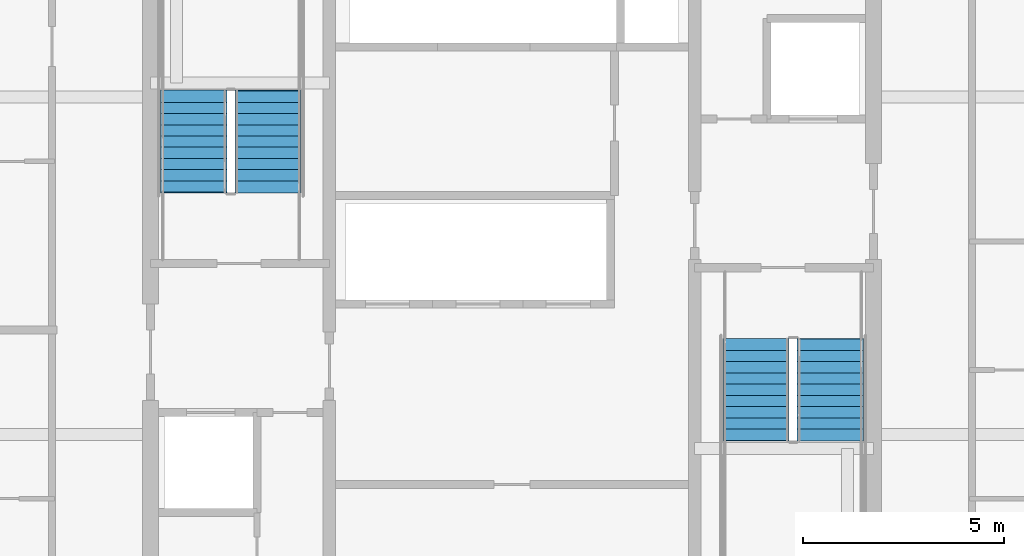
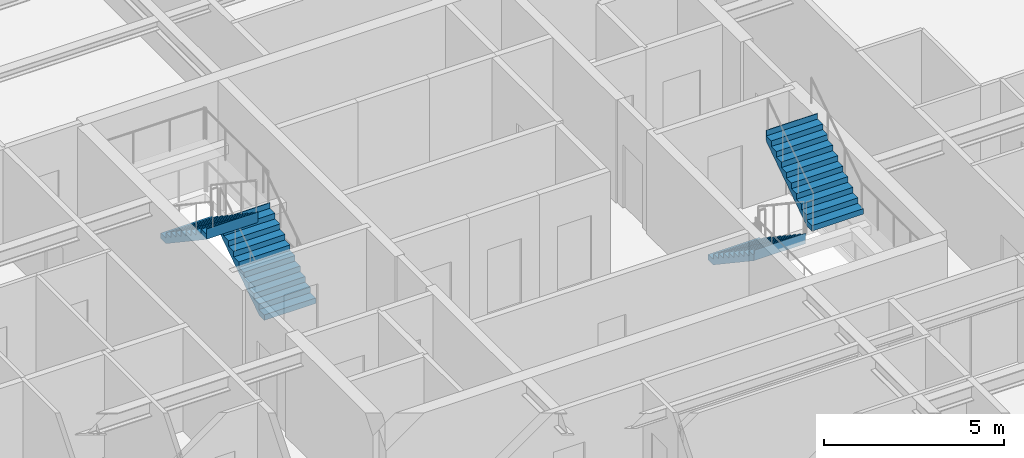
# One storey, part 28 of 33: 4 stair flights, 2 elements without a shape of their own.
"""IFC4 building model written with IfcOpenShell, lengths in metres."""

import ifcopenshell
import ifcopenshell.guid

model = None  # the IFC model being written
_history = None  # IfcOwnerHistory: only IFC2X3 demands one
_inside = {}  # id of a spatial element -> (the spatial element, [elements in it])
_under = {}  # id of a project, library or spatial element -> (it, [spatial elements below it])
_declared = {}  # id of a project -> (the project, [libraries it declares])
_typed = {}  # id of a type object -> (the type object, [elements of that type])
_made_of = {}  # id of a material, layer set ... -> (it, [elements and type objects made of it])


def new_model(schema):
    """Start an empty IFC model of exactly this schema.

    Asked for "IFC4X3", IfcOpenShell would pick the latest addendum, in which some entities
    have other attributes; the version numbers below select the first issue.
    IFC2X3 requires an IfcOwnerHistory on every rooted entity: one is made here for all.
    """
    global model, _history
    if schema == "IFC4X3":
        model = ifcopenshell.file(schema_version=(4, 3, 0, 0))
    else:
        model = ifcopenshell.file(schema=schema)
    _inside.clear()
    _under.clear()
    _declared.clear()
    _typed.clear()
    _made_of.clear()
    _history = None
    if model.schema == "IFC2X3":
        org = make("IfcOrganization", Name="unknown")
        user = make(
            "IfcPersonAndOrganization",
            ThePerson=make("IfcPerson", FamilyName="unknown"),
            TheOrganization=org,
        )
        app = make(
            "IfcApplication",
            ApplicationDeveloper=org,
            Version="unknown",
            ApplicationFullName="unknown",
            ApplicationIdentifier="unknown",
        )
        _history = make(
            "IfcOwnerHistory",
            OwningUser=user,
            OwningApplication=app,
            ChangeAction="ADDED",
            CreationDate=0,
        )
    return model


def make(cls, **values):
    """One entity of the class cls with the attributes given. An attribute that is None is left unset."""
    return model.create_entity(
        cls, **{name: value for name, value in values.items() if value is not None}
    )


def rooted(cls, **values):
    """An entity with a GlobalId (a new one), such as an element, a storey or a relation."""
    return make(cls, GlobalId=ifcopenshell.guid.new(), OwnerHistory=_history, **values)


def si_unit(unit_type, name, prefix=None):
    """IfcSIUnit, for example si_unit("LENGTHUNIT", "METRE", prefix="MILLI")."""
    return make("IfcSIUnit", UnitType=unit_type, Prefix=prefix, Name=name)


def assignment(units):
    """IfcUnitAssignment: the units of a project."""
    return None if units is None else make("IfcUnitAssignment", Units=units)


def point(xyz):
    """IfcCartesianPoint."""
    return None if xyz is None else make("IfcCartesianPoint", Coordinates=xyz)


def direction(xyz):
    """IfcDirection."""
    return None if xyz is None else make("IfcDirection", DirectionRatios=xyz)


def frame(location, z_axis=None, x_axis=None):
    """IfcAxis2Placement3D, a coordinate frame: its origin and axes. An axis left out is left unset."""
    return make(
        "IfcAxis2Placement3D",
        Location=point(location),
        Axis=direction(z_axis),
        RefDirection=direction(x_axis),
    )


def origin():
    """The frame at (0, 0, 0) with its axes left unset."""
    return frame((0.0, 0.0, 0.0))


def place(relative_to, where):
    """IfcLocalPlacement: puts the frame where relative to a parent placement (None: the world)."""
    return make(
        "IfcLocalPlacement", PlacementRelTo=relative_to, RelativePlacement=where
    )


def context(
    kind, dimensions, precision=None, world=None, true_north=None, identifier=None
):
    """IfcGeometricRepresentationContext, for example the 3D "Model" context."""
    return make(
        "IfcGeometricRepresentationContext",
        ContextIdentifier=identifier,
        ContextType=kind,
        CoordinateSpaceDimension=dimensions,
        Precision=precision,
        WorldCoordinateSystem=world,
        TrueNorth=true_north,
    )


def subcontext(parent, identifier, kind, view, scale=None):
    """IfcGeometricRepresentationSubContext, for example "Body" below "Model"."""
    return make(
        "IfcGeometricRepresentationSubContext",
        ContextIdentifier=identifier,
        ContextType=kind,
        ParentContext=parent,
        TargetScale=scale,
        TargetView=view,
    )


def project(units=None, contexts=None):
    """IfcProject with its units and contexts."""
    return rooted(
        "IfcProject",
        Name="project",
        RepresentationContexts=contexts,
        UnitsInContext=assignment(units),
    )


def spatial(cls, under=None, at=None, **own):
    """A site, building, storey or space (cls), placed at a placement, below another one or the project."""
    s = rooted(cls, ObjectPlacement=at, **own)
    if under is not None:
        _under.setdefault(under.id(), (under, []))[1].append(s)
    return s


def point_list(points):
    """IfcCartesianPointList2D or 3D."""
    cls = (
        "IfcCartesianPointList2D" if len(points[0]) == 2 else "IfcCartesianPointList3D"
    )
    return make(cls, CoordList=points)


def polygons(points, faces, closed=None, point_numbers=None):
    """IfcPolygonalFaceSet: a face is its outer loop, then its inner loops; points numbered from 1."""
    made = []
    for loops in faces:
        if len(loops) == 1:
            made.append(make("IfcIndexedPolygonalFace", CoordIndex=loops[0]))
        else:
            made.append(
                make(
                    "IfcIndexedPolygonalFaceWithVoids",
                    CoordIndex=loops[0],
                    InnerCoordIndices=loops[1:],
                )
            )
    return make(
        "IfcPolygonalFaceSet",
        Coordinates=point_list(points),
        Closed=closed,
        Faces=made,
        PnIndex=point_numbers,
    )


def shape(context_of_items, identifier, shape_type, items):
    """IfcShapeRepresentation: the items that make up one representation, for example the "Body"."""
    return make(
        "IfcShapeRepresentation",
        ContextOfItems=context_of_items,
        RepresentationIdentifier=identifier,
        RepresentationType=shape_type,
        Items=items,
    )


def material(Name=None, Category=None):
    """IfcMaterial."""
    return make("IfcMaterial", Name=Name, Category=Category)


def made_of(thing, what):
    """Note that an element or type object is made of a material, layer set ...; save() writes the relation."""
    if what is not None:
        _made_of.setdefault(what.id(), (what, []))[1].append(thing)
    return thing


def type_object(cls, material=None, **own):
    """A type object (cls), such as IfcWallType, which elements share."""
    return made_of(rooted(cls, **own), material)


def element(
    cls,
    number,
    at=None,
    inside=None,
    cuts=None,
    type_object=None,
    material=None,
    context=None,
    identifier="Body",
    shape_type=None,
    held_by="IfcProductDefinitionShape",
    body=None,
    shapes=None,
    **own,
):
    """One element of the class cls, such as IfcWall. Its Tag is "e" and its number.

    at: its placement. inside: the storey or other place that contains it. cuts: it is an
    opening in that element (IfcRelVoidsElement). A single representation is given by context,
    identifier, shape_type and body (its items); several are given by shapes. held_by: the class
    of the entity that holds the representations. save() writes the other relations.
    """
    e = rooted(cls, Tag="e%d" % number, ObjectPlacement=at, **own)
    if body is not None:
        shapes = [shape(context, identifier, shape_type, body)]
    if shapes is not None:
        e.Representation = make(held_by, Representations=shapes)
    if inside is not None:
        _inside.setdefault(inside.id(), (inside, []))[1].append(e)
    if cuts is not None:
        rooted(
            "IfcRelVoidsElement", RelatingBuildingElement=cuts, RelatedOpeningElement=e
        )
    if type_object is not None:
        _typed.setdefault(type_object.id(), (type_object, []))[1].append(e)
    return made_of(e, material)


def aggregate(whole, parts):
    """IfcRelAggregates: a whole, such as a stair, and the parts it consists of."""
    return rooted("IfcRelAggregates", RelatingObject=whole, RelatedObjects=parts)


def save(model, path):
    """Write the relations noted so far, then the file.

    IfcRelAggregates (storeys below a building ...), IfcRelContainedInSpatialStructure (elements
    in a storey), IfcRelDefinesByType, IfcRelAssociatesMaterial and IfcRelDeclares: one each for
    every whole, place, type object, material and project.
    """
    for whole, parts in _under.values():
        aggregate(whole, parts)
    for where, things in _inside.values():
        rooted(
            "IfcRelContainedInSpatialStructure",
            RelatedElements=things,
            RelatingStructure=where,
        )
    for kind, things in _typed.values():
        rooted("IfcRelDefinesByType", RelatedObjects=things, RelatingType=kind)
    for what, things in _made_of.values():
        rooted("IfcRelAssociatesMaterial", RelatedObjects=things, RelatingMaterial=what)
    for by, libraries in _declared.values():
        rooted("IfcRelDeclares", RelatingContext=by, RelatedDefinitions=libraries)
    model.write(path)


model = new_model("IFC4")

# Units and contexts
model_context = context("Model", 3, precision=1e-05, world=origin(), true_north=direction((0.0, 1.0)))
body_context = subcontext(model_context, "Body", "Model", "MODEL_VIEW")
ifc_project = project(units=[si_unit("LENGTHUNIT", "METRE"), si_unit("AREAUNIT", "SQUARE_METRE"), si_unit("VOLUMEUNIT", "CUBIC_METRE"), si_unit("PLANEANGLEUNIT", "RADIAN"), si_unit("MASSUNIT", "GRAM", prefix="KILO")], contexts=[model_context])

# Site, building, storey
site_placement = place(None, origin())
site = spatial("IfcSite", under=ifc_project, at=site_placement, CompositionType="ELEMENT")
building_placement = place(site_placement, origin())
building = spatial("IfcBuilding", under=site, at=building_placement, Name="Serunith Strait Residences", CompositionType="ELEMENT")
storey_placement = place(building_placement, frame((0.0, 0.0, 165.14990234375)))
storey = spatial("IfcBuildingStorey", under=building, at=storey_placement, Name="L41", CompositionType="ELEMENT", Elevation=165.14990234375)

# Stair, stair flights
ifc_material = material(Name="Concrete C50/60", Category="concrete")
stair_type_1 = type_object("IfcStairType", Name="STR-CORE-1", PredefinedType="HALF_TURN_STAIR", material=ifc_material)
stair_1_placement = place(storey_placement, origin())
stair_1 = element("IfcStair", 1, at=stair_1_placement, inside=storey, type_object=stair_type_1, Name="L41 Protected Escape Stair ST-1", PredefinedType="HALF_TURN_STAIR")
stair_flight_type_1 = type_object("IfcStairFlightType", Name="FLT-CORE-1", PredefinedType="STRAIGHT", material=ifc_material)
stair_flight_1_placement = place(storey_placement, frame((26.324951171875, 27.030029296875, 0.0), z_axis=(0.0, 0.0, 1.0), x_axis=(0.0, 1.0, 0.0)))
stair_flight_1 = element("IfcStairFlight", 2, at=stair_flight_1_placement, type_object=stair_flight_type_1, Name="ST-1 flight 1", NumberOfRisers=10, NumberOfTreads=9, PredefinedType="STRAIGHT", RiserHeight=0.1875, TreadLength=0.28, context=body_context, shape_type="Tessellation", body=[
    polygons([(-0.02001953125, -0.824951171875, 0.0), (-0.02001953125, -0.824951171875, 0.1875), (0.280029296875, -0.824951171875, 0.1875), (0.280029296875, -0.824951171875, 0.375), (0.56005859375, -0.824951171875, 0.375), (0.56005859375, -0.824951171875, 0.5625), (0.840087890625, -0.824951171875, 0.5625), (0.840087890625, -0.824951171875, 0.75), (1.1201171875, -0.824951171875, 0.75), (1.1201171875, -0.824951171875, 0.9375), (1.39990234375, -0.824951171875, 0.9375), (1.39990234375, -0.824951171875, 1.125), (1.679931640625, -0.824951171875, 1.125), (1.679931640625, -0.824951171875, 1.3125), (1.9599609375, -0.824951171875, 1.3125), (1.9599609375, -0.824951171875, 1.5), (2.239990234375, -0.824951171875, 1.5), (2.239990234375, -0.824951171875, 1.6875), (2.52001953125, -0.824951171875, 1.6875), (2.52001953125, -0.824951171875, 1.875), (2.5400390625, -0.824951171875, 1.875), (2.5400390625, -0.824951171875, 1.81494140625), (2.52001953125, -0.824951171875, 1.507080078125), (0.26953125, -0.824951171875, 0.0), (-0.02001953125, -0.41259765625, 0.0), (-0.02001953125, -0.41259765625, 0.1875), (0.280029296875, -0.41259765625, 0.1875), (0.280029296875, -0.41259765625, 0.375), (0.56005859375, -0.41259765625, 0.375), (0.56005859375, -0.41259765625, 0.5625), (0.840087890625, -0.41259765625, 0.5625), (0.840087890625, -0.41259765625, 0.75), (1.1201171875, -0.41259765625, 0.75), (1.1201171875, -0.41259765625, 0.9375), (1.39990234375, -0.41259765625, 0.9375), (1.39990234375, -0.41259765625, 1.125), (1.679931640625, -0.41259765625, 1.125), (1.679931640625, -0.41259765625, 1.3125), (1.9599609375, -0.41259765625, 1.3125), (1.9599609375, -0.41259765625, 1.5), (2.239990234375, -0.41259765625, 1.5), (2.239990234375, -0.41259765625, 1.6875), (2.52001953125, -0.41259765625, 1.6875), (2.52001953125, -0.41259765625, 1.875), (2.5400390625, -0.41259765625, 1.875), (2.5400390625, -0.41259765625, 1.81494140625), (2.52001953125, -0.41259765625, 1.507080078125), (0.26953125, -0.41259765625, 0.0), (-0.02001953125, 0.0, 0.0), (-0.02001953125, 0.0, 0.1875), (0.280029296875, 0.0, 0.1875), (0.280029296875, 0.0, 0.375), (0.56005859375, 0.0, 0.375), (0.56005859375, 0.0, 0.5625), (0.840087890625, 0.0, 0.5625), (0.840087890625, 0.0, 0.75), (1.1201171875, 0.0, 0.75), (1.1201171875, 0.0, 0.9375), (1.39990234375, 0.0, 0.9375), (1.39990234375, 0.0, 1.125), (1.679931640625, 0.0, 1.125), (1.679931640625, 0.0, 1.3125), (1.9599609375, 0.0, 1.3125), (1.9599609375, 0.0, 1.5), (2.239990234375, 0.0, 1.5), (2.239990234375, 0.0, 1.6875), (2.52001953125, 0.0, 1.6875), (2.52001953125, 0.0, 1.875), (2.5400390625, 0.0, 1.875), (2.5400390625, 0.0, 1.81494140625), (2.52001953125, 0.0, 1.507080078125), (0.26953125, 0.0, 0.0), (-0.02001953125, 0.41259765625, 0.0), (-0.02001953125, 0.41259765625, 0.1875), (0.280029296875, 0.41259765625, 0.1875), (0.280029296875, 0.41259765625, 0.375), (0.56005859375, 0.41259765625, 0.375), (0.56005859375, 0.41259765625, 0.5625), (0.840087890625, 0.41259765625, 0.5625), (0.840087890625, 0.41259765625, 0.75), (1.1201171875, 0.41259765625, 0.75), (1.1201171875, 0.41259765625, 0.9375), (1.39990234375, 0.41259765625, 0.9375), (1.39990234375, 0.41259765625, 1.125), (1.679931640625, 0.41259765625, 1.125), (1.679931640625, 0.41259765625, 1.3125), (1.9599609375, 0.41259765625, 1.3125), (1.9599609375, 0.41259765625, 1.5), (2.239990234375, 0.41259765625, 1.5), (2.239990234375, 0.41259765625, 1.6875), (2.52001953125, 0.41259765625, 1.6875), (2.52001953125, 0.41259765625, 1.875), (2.5400390625, 0.41259765625, 1.875), (2.5400390625, 0.41259765625, 1.81494140625), (2.52001953125, 0.41259765625, 1.507080078125), (0.26953125, 0.41259765625, 0.0), (-0.02001953125, 0.824951171875, 0.0), (-0.02001953125, 0.824951171875, 0.1875), (0.280029296875, 0.824951171875, 0.1875), (0.280029296875, 0.824951171875, 0.375), (0.56005859375, 0.824951171875, 0.375), (0.56005859375, 0.824951171875, 0.5625), (0.840087890625, 0.824951171875, 0.5625), (0.840087890625, 0.824951171875, 0.75), (1.1201171875, 0.824951171875, 0.75), (1.1201171875, 0.824951171875, 0.9375), (1.39990234375, 0.824951171875, 0.9375), (1.39990234375, 0.824951171875, 1.125), (1.679931640625, 0.824951171875, 1.125), (1.679931640625, 0.824951171875, 1.3125), (1.9599609375, 0.824951171875, 1.3125), (1.9599609375, 0.824951171875, 1.5), (2.239990234375, 0.824951171875, 1.5), (2.239990234375, 0.824951171875, 1.6875), (2.52001953125, 0.824951171875, 1.6875), (2.52001953125, 0.824951171875, 1.875), (2.5400390625, 0.824951171875, 1.875), (2.5400390625, 0.824951171875, 1.81494140625), (2.52001953125, 0.824951171875, 1.507080078125), (0.26953125, 0.824951171875, 0.0)], [[[1, 2, 26, 25]], [[2, 3, 27, 26]], [[3, 4, 28, 27]], [[4, 5, 29, 28]], [[5, 6, 30, 29]], [[6, 7, 31, 30]], [[7, 8, 32, 31]], [[8, 9, 33, 32]], [[9, 10, 34, 33]], [[10, 11, 35, 34]], [[11, 12, 36, 35]], [[12, 13, 37, 36]], [[13, 14, 38, 37]], [[14, 15, 39, 38]], [[15, 16, 40, 39]], [[16, 17, 41, 40]], [[17, 18, 42, 41]], [[18, 19, 43, 42]], [[19, 20, 44, 43]], [[20, 21, 45, 44]], [[21, 22, 46, 45]], [[22, 23, 47, 46]], [[23, 24, 48, 47]], [[24, 1, 25, 48]], [[25, 26, 50, 49]], [[26, 27, 51, 50]], [[27, 28, 52, 51]], [[28, 29, 53, 52]], [[29, 30, 54, 53]], [[30, 31, 55, 54]], [[31, 32, 56, 55]], [[32, 33, 57, 56]], [[33, 34, 58, 57]], [[34, 35, 59, 58]], [[35, 36, 60, 59]], [[36, 37, 61, 60]], [[37, 38, 62, 61]], [[38, 39, 63, 62]], [[39, 40, 64, 63]], [[40, 41, 65, 64]], [[41, 42, 66, 65]], [[42, 43, 67, 66]], [[43, 44, 68, 67]], [[44, 45, 69, 68]], [[45, 46, 70, 69]], [[46, 47, 71, 70]], [[47, 48, 72, 71]], [[48, 25, 49, 72]], [[49, 50, 74, 73]], [[50, 51, 75, 74]], [[51, 52, 76, 75]], [[52, 53, 77, 76]], [[53, 54, 78, 77]], [[54, 55, 79, 78]], [[55, 56, 80, 79]], [[56, 57, 81, 80]], [[57, 58, 82, 81]], [[58, 59, 83, 82]], [[59, 60, 84, 83]], [[60, 61, 85, 84]], [[61, 62, 86, 85]], [[62, 63, 87, 86]], [[63, 64, 88, 87]], [[64, 65, 89, 88]], [[65, 66, 90, 89]], [[66, 67, 91, 90]], [[67, 68, 92, 91]], [[68, 69, 93, 92]], [[69, 70, 94, 93]], [[70, 71, 95, 94]], [[71, 72, 96, 95]], [[72, 49, 73, 96]], [[73, 74, 98, 97]], [[74, 75, 99, 98]], [[75, 76, 100, 99]], [[76, 77, 101, 100]], [[77, 78, 102, 101]], [[78, 79, 103, 102]], [[79, 80, 104, 103]], [[80, 81, 105, 104]], [[81, 82, 106, 105]], [[82, 83, 107, 106]], [[83, 84, 108, 107]], [[84, 85, 109, 108]], [[85, 86, 110, 109]], [[86, 87, 111, 110]], [[87, 88, 112, 111]], [[88, 89, 113, 112]], [[89, 90, 114, 113]], [[90, 91, 115, 114]], [[91, 92, 116, 115]], [[92, 93, 117, 116]], [[93, 94, 118, 117]], [[94, 95, 119, 118]], [[95, 96, 120, 119]], [[96, 73, 97, 120]], [[24, 23, 22, 21, 20, 19, 18, 17, 16, 15, 14, 13, 12, 11, 10, 9, 8, 7, 6, 5, 4, 3, 2, 1]], [[97, 98, 99, 100, 101, 102, 103, 104, 105, 106, 107, 108, 109, 110, 111, 112, 113, 114, 115, 116, 117, 118, 119, 120]]], closed=True),
])
stair_flight_2_placement = place(storey_placement, frame((24.47509765625, 29.550048828125, 1.875), z_axis=(0.0, 0.0, 1.0), x_axis=(0.0, -1.0, 0.0)))
stair_flight_2 = element("IfcStairFlight", 3, at=stair_flight_2_placement, type_object=stair_flight_type_1, Name="ST-1 flight 2", NumberOfRisers=10, NumberOfTreads=9, PredefinedType="STRAIGHT", RiserHeight=0.1875, TreadLength=0.28, context=body_context, shape_type="Tessellation", body=[
    polygons([(-0.02001953125, -0.824951171875, 0.0), (-0.02001953125, -0.824951171875, 0.1875), (0.280029296875, -0.824951171875, 0.1875), (0.280029296875, -0.824951171875, 0.375), (0.56005859375, -0.824951171875, 0.375), (0.56005859375, -0.824951171875, 0.5625), (0.840087890625, -0.824951171875, 0.5625), (0.840087890625, -0.824951171875, 0.75), (1.1201171875, -0.824951171875, 0.75), (1.1201171875, -0.824951171875, 0.9375), (1.39990234375, -0.824951171875, 0.9375), (1.39990234375, -0.824951171875, 1.125), (1.679931640625, -0.824951171875, 1.125), (1.679931640625, -0.824951171875, 1.3125), (1.9599609375, -0.824951171875, 1.3125), (1.9599609375, -0.824951171875, 1.5), (2.239990234375, -0.824951171875, 1.5), (2.239990234375, -0.824951171875, 1.6875), (2.52001953125, -0.824951171875, 1.6875), (2.52001953125, -0.824951171875, 1.875), (2.5400390625, -0.824951171875, 1.875), (2.5400390625, -0.824951171875, 1.81494140625), (2.52001953125, -0.824951171875, 1.507080078125), (0.26953125, -0.824951171875, 0.0), (-0.02001953125, -0.41259765625, 0.0), (-0.02001953125, -0.41259765625, 0.1875), (0.280029296875, -0.41259765625, 0.1875), (0.280029296875, -0.41259765625, 0.375), (0.56005859375, -0.41259765625, 0.375), (0.56005859375, -0.41259765625, 0.5625), (0.840087890625, -0.41259765625, 0.5625), (0.840087890625, -0.41259765625, 0.75), (1.1201171875, -0.41259765625, 0.75), (1.1201171875, -0.41259765625, 0.9375), (1.39990234375, -0.41259765625, 0.9375), (1.39990234375, -0.41259765625, 1.125), (1.679931640625, -0.41259765625, 1.125), (1.679931640625, -0.41259765625, 1.3125), (1.9599609375, -0.41259765625, 1.3125), (1.9599609375, -0.41259765625, 1.5), (2.239990234375, -0.41259765625, 1.5), (2.239990234375, -0.41259765625, 1.6875), (2.52001953125, -0.41259765625, 1.6875), (2.52001953125, -0.41259765625, 1.875), (2.5400390625, -0.41259765625, 1.875), (2.5400390625, -0.41259765625, 1.81494140625), (2.52001953125, -0.41259765625, 1.507080078125), (0.26953125, -0.41259765625, 0.0), (-0.02001953125, 0.0, 0.0), (-0.02001953125, 0.0, 0.1875), (0.280029296875, 0.0, 0.1875), (0.280029296875, 0.0, 0.375), (0.56005859375, 0.0, 0.375), (0.56005859375, 0.0, 0.5625), (0.840087890625, 0.0, 0.5625), (0.840087890625, 0.0, 0.75), (1.1201171875, 0.0, 0.75), (1.1201171875, 0.0, 0.9375), (1.39990234375, 0.0, 0.9375), (1.39990234375, 0.0, 1.125), (1.679931640625, 0.0, 1.125), (1.679931640625, 0.0, 1.3125), (1.9599609375, 0.0, 1.3125), (1.9599609375, 0.0, 1.5), (2.239990234375, 0.0, 1.5), (2.239990234375, 0.0, 1.6875), (2.52001953125, 0.0, 1.6875), (2.52001953125, 0.0, 1.875), (2.5400390625, 0.0, 1.875), (2.5400390625, 0.0, 1.81494140625), (2.52001953125, 0.0, 1.507080078125), (0.26953125, 0.0, 0.0), (-0.02001953125, 0.41259765625, 0.0), (-0.02001953125, 0.41259765625, 0.1875), (0.280029296875, 0.41259765625, 0.1875), (0.280029296875, 0.41259765625, 0.375), (0.56005859375, 0.41259765625, 0.375), (0.56005859375, 0.41259765625, 0.5625), (0.840087890625, 0.41259765625, 0.5625), (0.840087890625, 0.41259765625, 0.75), (1.1201171875, 0.41259765625, 0.75), (1.1201171875, 0.41259765625, 0.9375), (1.39990234375, 0.41259765625, 0.9375), (1.39990234375, 0.41259765625, 1.125), (1.679931640625, 0.41259765625, 1.125), (1.679931640625, 0.41259765625, 1.3125), (1.9599609375, 0.41259765625, 1.3125), (1.9599609375, 0.41259765625, 1.5), (2.239990234375, 0.41259765625, 1.5), (2.239990234375, 0.41259765625, 1.6875), (2.52001953125, 0.41259765625, 1.6875), (2.52001953125, 0.41259765625, 1.875), (2.5400390625, 0.41259765625, 1.875), (2.5400390625, 0.41259765625, 1.81494140625), (2.52001953125, 0.41259765625, 1.507080078125), (0.26953125, 0.41259765625, 0.0), (-0.02001953125, 0.824951171875, 0.0), (-0.02001953125, 0.824951171875, 0.1875), (0.280029296875, 0.824951171875, 0.1875), (0.280029296875, 0.824951171875, 0.375), (0.56005859375, 0.824951171875, 0.375), (0.56005859375, 0.824951171875, 0.5625), (0.840087890625, 0.824951171875, 0.5625), (0.840087890625, 0.824951171875, 0.75), (1.1201171875, 0.824951171875, 0.75), (1.1201171875, 0.824951171875, 0.9375), (1.39990234375, 0.824951171875, 0.9375), (1.39990234375, 0.824951171875, 1.125), (1.679931640625, 0.824951171875, 1.125), (1.679931640625, 0.824951171875, 1.3125), (1.9599609375, 0.824951171875, 1.3125), (1.9599609375, 0.824951171875, 1.5), (2.239990234375, 0.824951171875, 1.5), (2.239990234375, 0.824951171875, 1.6875), (2.52001953125, 0.824951171875, 1.6875), (2.52001953125, 0.824951171875, 1.875), (2.5400390625, 0.824951171875, 1.875), (2.5400390625, 0.824951171875, 1.81494140625), (2.52001953125, 0.824951171875, 1.507080078125), (0.26953125, 0.824951171875, 0.0)], [[[1, 2, 26, 25]], [[2, 3, 27, 26]], [[3, 4, 28, 27]], [[4, 5, 29, 28]], [[5, 6, 30, 29]], [[6, 7, 31, 30]], [[7, 8, 32, 31]], [[8, 9, 33, 32]], [[9, 10, 34, 33]], [[10, 11, 35, 34]], [[11, 12, 36, 35]], [[12, 13, 37, 36]], [[13, 14, 38, 37]], [[14, 15, 39, 38]], [[15, 16, 40, 39]], [[16, 17, 41, 40]], [[17, 18, 42, 41]], [[18, 19, 43, 42]], [[19, 20, 44, 43]], [[20, 21, 45, 44]], [[21, 22, 46, 45]], [[22, 23, 47, 46]], [[23, 24, 48, 47]], [[24, 1, 25, 48]], [[25, 26, 50, 49]], [[26, 27, 51, 50]], [[27, 28, 52, 51]], [[28, 29, 53, 52]], [[29, 30, 54, 53]], [[30, 31, 55, 54]], [[31, 32, 56, 55]], [[32, 33, 57, 56]], [[33, 34, 58, 57]], [[34, 35, 59, 58]], [[35, 36, 60, 59]], [[36, 37, 61, 60]], [[37, 38, 62, 61]], [[38, 39, 63, 62]], [[39, 40, 64, 63]], [[40, 41, 65, 64]], [[41, 42, 66, 65]], [[42, 43, 67, 66]], [[43, 44, 68, 67]], [[44, 45, 69, 68]], [[45, 46, 70, 69]], [[46, 47, 71, 70]], [[47, 48, 72, 71]], [[48, 25, 49, 72]], [[49, 50, 74, 73]], [[50, 51, 75, 74]], [[51, 52, 76, 75]], [[52, 53, 77, 76]], [[53, 54, 78, 77]], [[54, 55, 79, 78]], [[55, 56, 80, 79]], [[56, 57, 81, 80]], [[57, 58, 82, 81]], [[58, 59, 83, 82]], [[59, 60, 84, 83]], [[60, 61, 85, 84]], [[61, 62, 86, 85]], [[62, 63, 87, 86]], [[63, 64, 88, 87]], [[64, 65, 89, 88]], [[65, 66, 90, 89]], [[66, 67, 91, 90]], [[67, 68, 92, 91]], [[68, 69, 93, 92]], [[69, 70, 94, 93]], [[70, 71, 95, 94]], [[71, 72, 96, 95]], [[72, 49, 73, 96]], [[73, 74, 98, 97]], [[74, 75, 99, 98]], [[75, 76, 100, 99]], [[76, 77, 101, 100]], [[77, 78, 102, 101]], [[78, 79, 103, 102]], [[79, 80, 104, 103]], [[80, 81, 105, 104]], [[81, 82, 106, 105]], [[82, 83, 107, 106]], [[83, 84, 108, 107]], [[84, 85, 109, 108]], [[85, 86, 110, 109]], [[86, 87, 111, 110]], [[87, 88, 112, 111]], [[88, 89, 113, 112]], [[89, 90, 114, 113]], [[90, 91, 115, 114]], [[91, 92, 116, 115]], [[92, 93, 117, 116]], [[93, 94, 118, 117]], [[94, 95, 119, 118]], [[95, 96, 120, 119]], [[96, 73, 97, 120]], [[24, 23, 22, 21, 20, 19, 18, 17, 16, 15, 14, 13, 12, 11, 10, 9, 8, 7, 6, 5, 4, 3, 2, 1]], [[97, 98, 99, 100, 101, 102, 103, 104, 105, 106, 107, 108, 109, 110, 111, 112, 113, 114, 115, 116, 117, 118, 119, 120]]], closed=True),
])
aggregate(stair_1, [stair_flight_1, stair_flight_2])

stair_type_2 = type_object("IfcStairType", Name="STR-CORE-2", PredefinedType="HALF_TURN_STAIR", material=ifc_material)
stair_2_placement = place(storey_placement, origin())
stair_2 = element("IfcStair", 4, at=stair_2_placement, inside=storey, type_object=stair_type_2, Name="L41 Protected Escape Stair ST-2", PredefinedType="HALF_TURN_STAIR")
stair_flight_type_2 = type_object("IfcStairFlightType", Name="FLT-CORE-2", PredefinedType="STRAIGHT", material=ifc_material)
stair_flight_3_placement = place(storey_placement, frame((38.47509765625, 23.3701171875, 0.0), z_axis=(0.0, 0.0, 1.0), x_axis=(0.0, -1.0, 0.0)))
stair_flight_3 = element("IfcStairFlight", 5, at=stair_flight_3_placement, type_object=stair_flight_type_2, Name="ST-2 flight 1", NumberOfRisers=10, NumberOfTreads=9, PredefinedType="STRAIGHT", RiserHeight=0.1875, TreadLength=0.28, context=body_context, shape_type="Tessellation", body=[
    polygons([(-0.02001953125, -0.824951171875, 0.0), (-0.02001953125, -0.824951171875, 0.1875), (0.280029296875, -0.824951171875, 0.1875), (0.280029296875, -0.824951171875, 0.375), (0.56005859375, -0.824951171875, 0.375), (0.56005859375, -0.824951171875, 0.5625), (0.840087890625, -0.824951171875, 0.5625), (0.840087890625, -0.824951171875, 0.75), (1.1201171875, -0.824951171875, 0.75), (1.1201171875, -0.824951171875, 0.9375), (1.39990234375, -0.824951171875, 0.9375), (1.39990234375, -0.824951171875, 1.125), (1.679931640625, -0.824951171875, 1.125), (1.679931640625, -0.824951171875, 1.3125), (1.9599609375, -0.824951171875, 1.3125), (1.9599609375, -0.824951171875, 1.5), (2.239990234375, -0.824951171875, 1.5), (2.239990234375, -0.824951171875, 1.6875), (2.52001953125, -0.824951171875, 1.6875), (2.52001953125, -0.824951171875, 1.875), (2.5400390625, -0.824951171875, 1.875), (2.5400390625, -0.824951171875, 1.81494140625), (2.52001953125, -0.824951171875, 1.507080078125), (0.26953125, -0.824951171875, 0.0), (-0.02001953125, -0.41259765625, 0.0), (-0.02001953125, -0.41259765625, 0.1875), (0.280029296875, -0.41259765625, 0.1875), (0.280029296875, -0.41259765625, 0.375), (0.56005859375, -0.41259765625, 0.375), (0.56005859375, -0.41259765625, 0.5625), (0.840087890625, -0.41259765625, 0.5625), (0.840087890625, -0.41259765625, 0.75), (1.1201171875, -0.41259765625, 0.75), (1.1201171875, -0.41259765625, 0.9375), (1.39990234375, -0.41259765625, 0.9375), (1.39990234375, -0.41259765625, 1.125), (1.679931640625, -0.41259765625, 1.125), (1.679931640625, -0.41259765625, 1.3125), (1.9599609375, -0.41259765625, 1.3125), (1.9599609375, -0.41259765625, 1.5), (2.239990234375, -0.41259765625, 1.5), (2.239990234375, -0.41259765625, 1.6875), (2.52001953125, -0.41259765625, 1.6875), (2.52001953125, -0.41259765625, 1.875), (2.5400390625, -0.41259765625, 1.875), (2.5400390625, -0.41259765625, 1.81494140625), (2.52001953125, -0.41259765625, 1.507080078125), (0.26953125, -0.41259765625, 0.0), (-0.02001953125, 0.0, 0.0), (-0.02001953125, 0.0, 0.1875), (0.280029296875, 0.0, 0.1875), (0.280029296875, 0.0, 0.375), (0.56005859375, 0.0, 0.375), (0.56005859375, 0.0, 0.5625), (0.840087890625, 0.0, 0.5625), (0.840087890625, 0.0, 0.75), (1.1201171875, 0.0, 0.75), (1.1201171875, 0.0, 0.9375), (1.39990234375, 0.0, 0.9375), (1.39990234375, 0.0, 1.125), (1.679931640625, 0.0, 1.125), (1.679931640625, 0.0, 1.3125), (1.9599609375, 0.0, 1.3125), (1.9599609375, 0.0, 1.5), (2.239990234375, 0.0, 1.5), (2.239990234375, 0.0, 1.6875), (2.52001953125, 0.0, 1.6875), (2.52001953125, 0.0, 1.875), (2.5400390625, 0.0, 1.875), (2.5400390625, 0.0, 1.81494140625), (2.52001953125, 0.0, 1.507080078125), (0.26953125, 0.0, 0.0), (-0.02001953125, 0.41259765625, 0.0), (-0.02001953125, 0.41259765625, 0.1875), (0.280029296875, 0.41259765625, 0.1875), (0.280029296875, 0.41259765625, 0.375), (0.56005859375, 0.41259765625, 0.375), (0.56005859375, 0.41259765625, 0.5625), (0.840087890625, 0.41259765625, 0.5625), (0.840087890625, 0.41259765625, 0.75), (1.1201171875, 0.41259765625, 0.75), (1.1201171875, 0.41259765625, 0.9375), (1.39990234375, 0.41259765625, 0.9375), (1.39990234375, 0.41259765625, 1.125), (1.679931640625, 0.41259765625, 1.125), (1.679931640625, 0.41259765625, 1.3125), (1.9599609375, 0.41259765625, 1.3125), (1.9599609375, 0.41259765625, 1.5), (2.239990234375, 0.41259765625, 1.5), (2.239990234375, 0.41259765625, 1.6875), (2.52001953125, 0.41259765625, 1.6875), (2.52001953125, 0.41259765625, 1.875), (2.5400390625, 0.41259765625, 1.875), (2.5400390625, 0.41259765625, 1.81494140625), (2.52001953125, 0.41259765625, 1.507080078125), (0.26953125, 0.41259765625, 0.0), (-0.02001953125, 0.824951171875, 0.0), (-0.02001953125, 0.824951171875, 0.1875), (0.280029296875, 0.824951171875, 0.1875), (0.280029296875, 0.824951171875, 0.375), (0.56005859375, 0.824951171875, 0.375), (0.56005859375, 0.824951171875, 0.5625), (0.840087890625, 0.824951171875, 0.5625), (0.840087890625, 0.824951171875, 0.75), (1.1201171875, 0.824951171875, 0.75), (1.1201171875, 0.824951171875, 0.9375), (1.39990234375, 0.824951171875, 0.9375), (1.39990234375, 0.824951171875, 1.125), (1.679931640625, 0.824951171875, 1.125), (1.679931640625, 0.824951171875, 1.3125), (1.9599609375, 0.824951171875, 1.3125), (1.9599609375, 0.824951171875, 1.5), (2.239990234375, 0.824951171875, 1.5), (2.239990234375, 0.824951171875, 1.6875), (2.52001953125, 0.824951171875, 1.6875), (2.52001953125, 0.824951171875, 1.875), (2.5400390625, 0.824951171875, 1.875), (2.5400390625, 0.824951171875, 1.81494140625), (2.52001953125, 0.824951171875, 1.507080078125), (0.26953125, 0.824951171875, 0.0)], [[[1, 2, 26, 25]], [[2, 3, 27, 26]], [[3, 4, 28, 27]], [[4, 5, 29, 28]], [[5, 6, 30, 29]], [[6, 7, 31, 30]], [[7, 8, 32, 31]], [[8, 9, 33, 32]], [[9, 10, 34, 33]], [[10, 11, 35, 34]], [[11, 12, 36, 35]], [[12, 13, 37, 36]], [[13, 14, 38, 37]], [[14, 15, 39, 38]], [[15, 16, 40, 39]], [[16, 17, 41, 40]], [[17, 18, 42, 41]], [[18, 19, 43, 42]], [[19, 20, 44, 43]], [[20, 21, 45, 44]], [[21, 22, 46, 45]], [[22, 23, 47, 46]], [[23, 24, 48, 47]], [[24, 1, 25, 48]], [[25, 26, 50, 49]], [[26, 27, 51, 50]], [[27, 28, 52, 51]], [[28, 29, 53, 52]], [[29, 30, 54, 53]], [[30, 31, 55, 54]], [[31, 32, 56, 55]], [[32, 33, 57, 56]], [[33, 34, 58, 57]], [[34, 35, 59, 58]], [[35, 36, 60, 59]], [[36, 37, 61, 60]], [[37, 38, 62, 61]], [[38, 39, 63, 62]], [[39, 40, 64, 63]], [[40, 41, 65, 64]], [[41, 42, 66, 65]], [[42, 43, 67, 66]], [[43, 44, 68, 67]], [[44, 45, 69, 68]], [[45, 46, 70, 69]], [[46, 47, 71, 70]], [[47, 48, 72, 71]], [[48, 25, 49, 72]], [[49, 50, 74, 73]], [[50, 51, 75, 74]], [[51, 52, 76, 75]], [[52, 53, 77, 76]], [[53, 54, 78, 77]], [[54, 55, 79, 78]], [[55, 56, 80, 79]], [[56, 57, 81, 80]], [[57, 58, 82, 81]], [[58, 59, 83, 82]], [[59, 60, 84, 83]], [[60, 61, 85, 84]], [[61, 62, 86, 85]], [[62, 63, 87, 86]], [[63, 64, 88, 87]], [[64, 65, 89, 88]], [[65, 66, 90, 89]], [[66, 67, 91, 90]], [[67, 68, 92, 91]], [[68, 69, 93, 92]], [[69, 70, 94, 93]], [[70, 71, 95, 94]], [[71, 72, 96, 95]], [[72, 49, 73, 96]], [[73, 74, 98, 97]], [[74, 75, 99, 98]], [[75, 76, 100, 99]], [[76, 77, 101, 100]], [[77, 78, 102, 101]], [[78, 79, 103, 102]], [[79, 80, 104, 103]], [[80, 81, 105, 104]], [[81, 82, 106, 105]], [[82, 83, 107, 106]], [[83, 84, 108, 107]], [[84, 85, 109, 108]], [[85, 86, 110, 109]], [[86, 87, 111, 110]], [[87, 88, 112, 111]], [[88, 89, 113, 112]], [[89, 90, 114, 113]], [[90, 91, 115, 114]], [[91, 92, 116, 115]], [[92, 93, 117, 116]], [[93, 94, 118, 117]], [[94, 95, 119, 118]], [[95, 96, 120, 119]], [[96, 73, 97, 120]], [[24, 23, 22, 21, 20, 19, 18, 17, 16, 15, 14, 13, 12, 11, 10, 9, 8, 7, 6, 5, 4, 3, 2, 1]], [[97, 98, 99, 100, 101, 102, 103, 104, 105, 106, 107, 108, 109, 110, 111, 112, 113, 114, 115, 116, 117, 118, 119, 120]]], closed=True),
])
stair_flight_4_placement = place(storey_placement, frame((40.324951171875, 20.85009765625, 1.875), z_axis=(0.0, 0.0, 1.0), x_axis=(0.0, 1.0, 0.0)))
stair_flight_4 = element("IfcStairFlight", 6, at=stair_flight_4_placement, type_object=stair_flight_type_2, Name="ST-2 flight 2", NumberOfRisers=10, NumberOfTreads=9, PredefinedType="STRAIGHT", RiserHeight=0.1875, TreadLength=0.28, context=body_context, shape_type="Tessellation", body=[
    polygons([(-0.02001953125, -0.824951171875, 0.0), (-0.02001953125, -0.824951171875, 0.1875), (0.280029296875, -0.824951171875, 0.1875), (0.280029296875, -0.824951171875, 0.375), (0.56005859375, -0.824951171875, 0.375), (0.56005859375, -0.824951171875, 0.5625), (0.840087890625, -0.824951171875, 0.5625), (0.840087890625, -0.824951171875, 0.75), (1.1201171875, -0.824951171875, 0.75), (1.1201171875, -0.824951171875, 0.9375), (1.39990234375, -0.824951171875, 0.9375), (1.39990234375, -0.824951171875, 1.125), (1.679931640625, -0.824951171875, 1.125), (1.679931640625, -0.824951171875, 1.3125), (1.9599609375, -0.824951171875, 1.3125), (1.9599609375, -0.824951171875, 1.5), (2.239990234375, -0.824951171875, 1.5), (2.239990234375, -0.824951171875, 1.6875), (2.52001953125, -0.824951171875, 1.6875), (2.52001953125, -0.824951171875, 1.875), (2.5400390625, -0.824951171875, 1.875), (2.5400390625, -0.824951171875, 1.81494140625), (2.52001953125, -0.824951171875, 1.507080078125), (0.26953125, -0.824951171875, 0.0), (-0.02001953125, -0.41259765625, 0.0), (-0.02001953125, -0.41259765625, 0.1875), (0.280029296875, -0.41259765625, 0.1875), (0.280029296875, -0.41259765625, 0.375), (0.56005859375, -0.41259765625, 0.375), (0.56005859375, -0.41259765625, 0.5625), (0.840087890625, -0.41259765625, 0.5625), (0.840087890625, -0.41259765625, 0.75), (1.1201171875, -0.41259765625, 0.75), (1.1201171875, -0.41259765625, 0.9375), (1.39990234375, -0.41259765625, 0.9375), (1.39990234375, -0.41259765625, 1.125), (1.679931640625, -0.41259765625, 1.125), (1.679931640625, -0.41259765625, 1.3125), (1.9599609375, -0.41259765625, 1.3125), (1.9599609375, -0.41259765625, 1.5), (2.239990234375, -0.41259765625, 1.5), (2.239990234375, -0.41259765625, 1.6875), (2.52001953125, -0.41259765625, 1.6875), (2.52001953125, -0.41259765625, 1.875), (2.5400390625, -0.41259765625, 1.875), (2.5400390625, -0.41259765625, 1.81494140625), (2.52001953125, -0.41259765625, 1.507080078125), (0.26953125, -0.41259765625, 0.0), (-0.02001953125, 0.0, 0.0), (-0.02001953125, 0.0, 0.1875), (0.280029296875, 0.0, 0.1875), (0.280029296875, 0.0, 0.375), (0.56005859375, 0.0, 0.375), (0.56005859375, 0.0, 0.5625), (0.840087890625, 0.0, 0.5625), (0.840087890625, 0.0, 0.75), (1.1201171875, 0.0, 0.75), (1.1201171875, 0.0, 0.9375), (1.39990234375, 0.0, 0.9375), (1.39990234375, 0.0, 1.125), (1.679931640625, 0.0, 1.125), (1.679931640625, 0.0, 1.3125), (1.9599609375, 0.0, 1.3125), (1.9599609375, 0.0, 1.5), (2.239990234375, 0.0, 1.5), (2.239990234375, 0.0, 1.6875), (2.52001953125, 0.0, 1.6875), (2.52001953125, 0.0, 1.875), (2.5400390625, 0.0, 1.875), (2.5400390625, 0.0, 1.81494140625), (2.52001953125, 0.0, 1.507080078125), (0.26953125, 0.0, 0.0), (-0.02001953125, 0.41259765625, 0.0), (-0.02001953125, 0.41259765625, 0.1875), (0.280029296875, 0.41259765625, 0.1875), (0.280029296875, 0.41259765625, 0.375), (0.56005859375, 0.41259765625, 0.375), (0.56005859375, 0.41259765625, 0.5625), (0.840087890625, 0.41259765625, 0.5625), (0.840087890625, 0.41259765625, 0.75), (1.1201171875, 0.41259765625, 0.75), (1.1201171875, 0.41259765625, 0.9375), (1.39990234375, 0.41259765625, 0.9375), (1.39990234375, 0.41259765625, 1.125), (1.679931640625, 0.41259765625, 1.125), (1.679931640625, 0.41259765625, 1.3125), (1.9599609375, 0.41259765625, 1.3125), (1.9599609375, 0.41259765625, 1.5), (2.239990234375, 0.41259765625, 1.5), (2.239990234375, 0.41259765625, 1.6875), (2.52001953125, 0.41259765625, 1.6875), (2.52001953125, 0.41259765625, 1.875), (2.5400390625, 0.41259765625, 1.875), (2.5400390625, 0.41259765625, 1.81494140625), (2.52001953125, 0.41259765625, 1.507080078125), (0.26953125, 0.41259765625, 0.0), (-0.02001953125, 0.824951171875, 0.0), (-0.02001953125, 0.824951171875, 0.1875), (0.280029296875, 0.824951171875, 0.1875), (0.280029296875, 0.824951171875, 0.375), (0.56005859375, 0.824951171875, 0.375), (0.56005859375, 0.824951171875, 0.5625), (0.840087890625, 0.824951171875, 0.5625), (0.840087890625, 0.824951171875, 0.75), (1.1201171875, 0.824951171875, 0.75), (1.1201171875, 0.824951171875, 0.9375), (1.39990234375, 0.824951171875, 0.9375), (1.39990234375, 0.824951171875, 1.125), (1.679931640625, 0.824951171875, 1.125), (1.679931640625, 0.824951171875, 1.3125), (1.9599609375, 0.824951171875, 1.3125), (1.9599609375, 0.824951171875, 1.5), (2.239990234375, 0.824951171875, 1.5), (2.239990234375, 0.824951171875, 1.6875), (2.52001953125, 0.824951171875, 1.6875), (2.52001953125, 0.824951171875, 1.875), (2.5400390625, 0.824951171875, 1.875), (2.5400390625, 0.824951171875, 1.81494140625), (2.52001953125, 0.824951171875, 1.507080078125), (0.26953125, 0.824951171875, 0.0)], [[[1, 2, 26, 25]], [[2, 3, 27, 26]], [[3, 4, 28, 27]], [[4, 5, 29, 28]], [[5, 6, 30, 29]], [[6, 7, 31, 30]], [[7, 8, 32, 31]], [[8, 9, 33, 32]], [[9, 10, 34, 33]], [[10, 11, 35, 34]], [[11, 12, 36, 35]], [[12, 13, 37, 36]], [[13, 14, 38, 37]], [[14, 15, 39, 38]], [[15, 16, 40, 39]], [[16, 17, 41, 40]], [[17, 18, 42, 41]], [[18, 19, 43, 42]], [[19, 20, 44, 43]], [[20, 21, 45, 44]], [[21, 22, 46, 45]], [[22, 23, 47, 46]], [[23, 24, 48, 47]], [[24, 1, 25, 48]], [[25, 26, 50, 49]], [[26, 27, 51, 50]], [[27, 28, 52, 51]], [[28, 29, 53, 52]], [[29, 30, 54, 53]], [[30, 31, 55, 54]], [[31, 32, 56, 55]], [[32, 33, 57, 56]], [[33, 34, 58, 57]], [[34, 35, 59, 58]], [[35, 36, 60, 59]], [[36, 37, 61, 60]], [[37, 38, 62, 61]], [[38, 39, 63, 62]], [[39, 40, 64, 63]], [[40, 41, 65, 64]], [[41, 42, 66, 65]], [[42, 43, 67, 66]], [[43, 44, 68, 67]], [[44, 45, 69, 68]], [[45, 46, 70, 69]], [[46, 47, 71, 70]], [[47, 48, 72, 71]], [[48, 25, 49, 72]], [[49, 50, 74, 73]], [[50, 51, 75, 74]], [[51, 52, 76, 75]], [[52, 53, 77, 76]], [[53, 54, 78, 77]], [[54, 55, 79, 78]], [[55, 56, 80, 79]], [[56, 57, 81, 80]], [[57, 58, 82, 81]], [[58, 59, 83, 82]], [[59, 60, 84, 83]], [[60, 61, 85, 84]], [[61, 62, 86, 85]], [[62, 63, 87, 86]], [[63, 64, 88, 87]], [[64, 65, 89, 88]], [[65, 66, 90, 89]], [[66, 67, 91, 90]], [[67, 68, 92, 91]], [[68, 69, 93, 92]], [[69, 70, 94, 93]], [[70, 71, 95, 94]], [[71, 72, 96, 95]], [[72, 49, 73, 96]], [[73, 74, 98, 97]], [[74, 75, 99, 98]], [[75, 76, 100, 99]], [[76, 77, 101, 100]], [[77, 78, 102, 101]], [[78, 79, 103, 102]], [[79, 80, 104, 103]], [[80, 81, 105, 104]], [[81, 82, 106, 105]], [[82, 83, 107, 106]], [[83, 84, 108, 107]], [[84, 85, 109, 108]], [[85, 86, 110, 109]], [[86, 87, 111, 110]], [[87, 88, 112, 111]], [[88, 89, 113, 112]], [[89, 90, 114, 113]], [[90, 91, 115, 114]], [[91, 92, 116, 115]], [[92, 93, 117, 116]], [[93, 94, 118, 117]], [[94, 95, 119, 118]], [[95, 96, 120, 119]], [[96, 73, 97, 120]], [[24, 23, 22, 21, 20, 19, 18, 17, 16, 15, 14, 13, 12, 11, 10, 9, 8, 7, 6, 5, 4, 3, 2, 1]], [[97, 98, 99, 100, 101, 102, 103, 104, 105, 106, 107, 108, 109, 110, 111, 112, 113, 114, 115, 116, 117, 118, 119, 120]]], closed=True),
])
aggregate(stair_2, [stair_flight_3, stair_flight_4])

save(model, "model.ifc")
